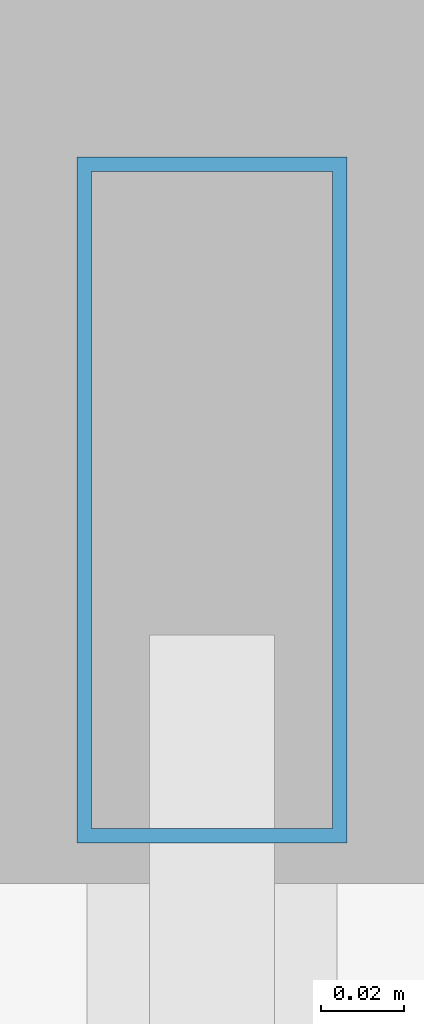
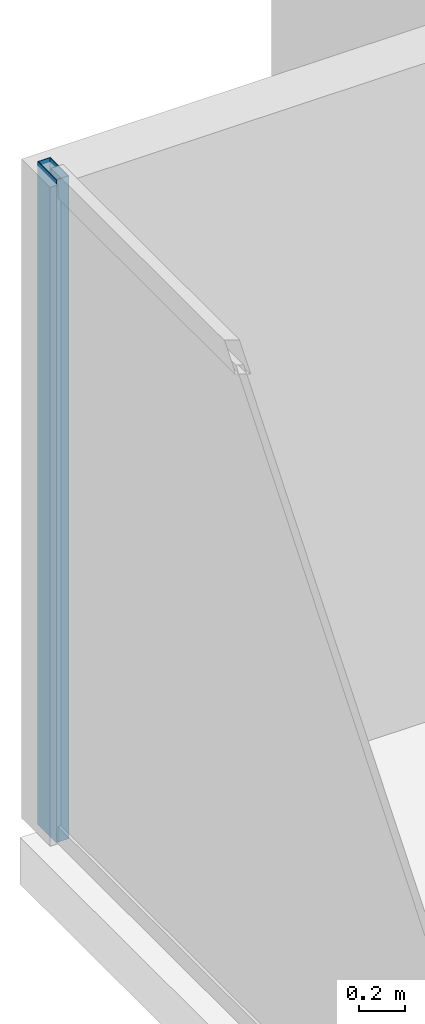
# One storey, part 12 of 24: 1 member, 1 element without a shape of its own.
"""IFC4 building model written with IfcOpenShell, lengths in metres."""

from ifc_helpers import new_model, si_unit, direction, frame, origin, origin_2d, place, context, subcontext, project, spatial, hollow_rectangle, extrude, source, transform, mapped, material, layer, layer_set, material_profile, profile_set, type_object, type_shapes, element, aggregate, save


model = new_model("IFC4")

# Units and contexts
model_context = context("Model", 3, precision=1e-05, world=origin(), true_north=direction((0.0, 1.0)))
body_context = subcontext(model_context, "Body", "Model", "MODEL_VIEW")
ifc_project = project(units=[si_unit("LENGTHUNIT", "METRE"), si_unit("AREAUNIT", "SQUARE_METRE"), si_unit("VOLUMEUNIT", "CUBIC_METRE"), si_unit("PLANEANGLEUNIT", "RADIAN"), si_unit("MASSUNIT", "GRAM", prefix="KILO")], contexts=[model_context])

# Site, building, storey
site_placement = place(None, origin())
site = spatial("IfcSite", under=ifc_project, at=site_placement, CompositionType="ELEMENT")
building_placement = place(site_placement, origin())
building = spatial("IfcBuilding", under=site, at=building_placement, Name="Varnel Quay Broadcast Tower", CompositionType="ELEMENT")
storey_placement = place(building_placement, frame((0.0, 0.0, 262.199951171875)))
storey = spatial("IfcBuildingStorey", under=building, at=storey_placement, Name="L65", CompositionType="ELEMENT", Elevation=262.199951171875)

# Curtain wall, member
ifc_material = material(Name="Anodised Bronze Aluminium 6063-T6", Category="aluminium")
ifc_layer = layer(ifc_material, 0.18994140625, Name="Anodised Bronze Aluminium 6063-T6")
ifc_layer_set = layer_set([ifc_layer], Name="Anodised Bronze Aluminium 6063-T6")
curtain_wall_type = type_object("IfcCurtainWallType", Name="CW_UpperTower", PredefinedType="NOTDEFINED", material=ifc_layer_set)
curtain_wall_placement = place(storey_placement, origin())
curtain_wall = element("IfcCurtainWall", 1, at=curtain_wall_placement, inside=storey, type_object=curtain_wall_type, Name="L65 West Unitised Curtain Wall", PredefinedType="NOTDEFINED")
ifc_material_profile = material_profile(ifc_material, hollow_rectangle(XDim=0.06494140625, YDim=0.1650390625, WallThickness=0.00341796875, at=origin_2d()), Name="ALU65X165X3.5")
ifc_profile_set = profile_set([ifc_material_profile], Name="Anodised Bronze Aluminium 6063-T6")
member_type = type_object("IfcMemberType", Name="Mull_CWS-03", PredefinedType="MULLION", material=ifc_profile_set)
shared_shape = source(origin(), body_context, "Body", "SweptSolid", [
    extrude(hollow_rectangle(XDim=0.06494140625, YDim=0.1650390625, WallThickness=0.00341796875, at=origin_2d()), origin(), (0.0, 0.0, 1.0), 3.550048828125),
])
type_shapes(member_type, [shared_shape])
member_placement = place(storey_placement, frame((12.14990234375, 43.5673828125, 0.0), z_axis=(0.0, 0.0, 1.0), x_axis=(-1.0, 0.0, 0.0)))
member = element("IfcMember", 2, at=member_placement, type_object=member_type, Name="CWS-03 mullion 3", PredefinedType="MULLION", context=body_context, shape_type="MappedRepresentation", body=[
    mapped(shared_shape, transform((0.0, 0.0, 0.0), x_axis=(1.0, 0.0, 0.0), y_axis=(0.0, 1.0, 0.0), z_axis=(0.0, 0.0, 1.0), scale=1.0)),
])
aggregate(curtain_wall, [member])

save(model, "model.ifc")
